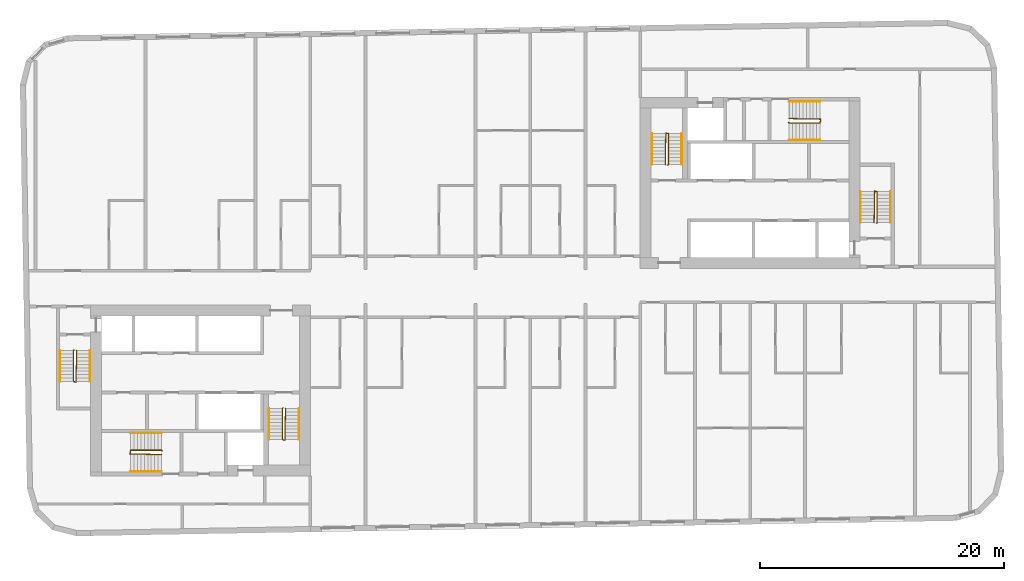
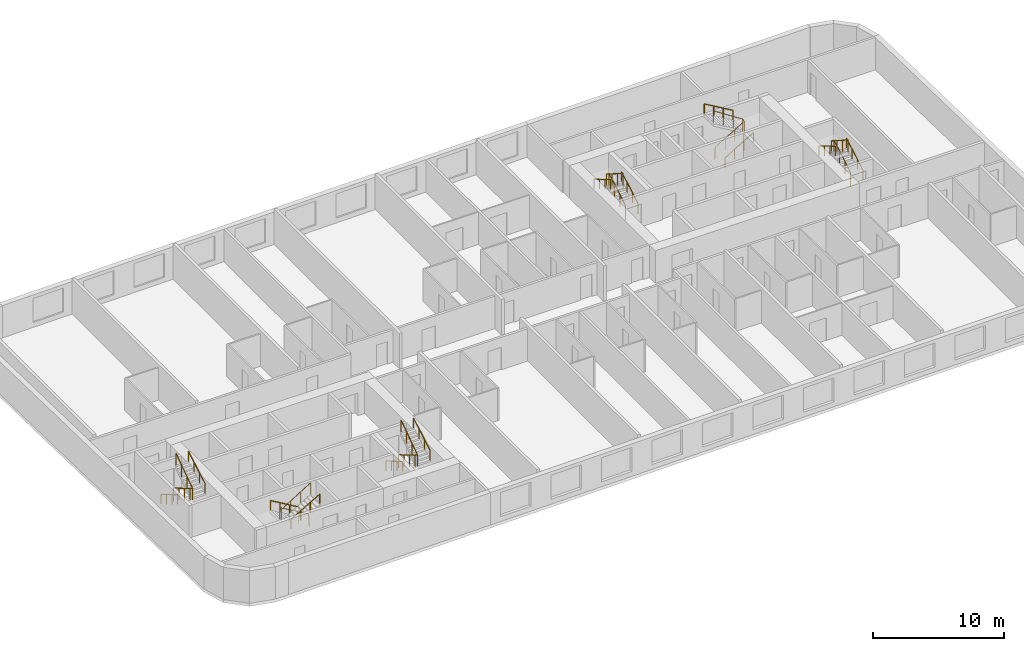
# One storey, part 12 of 12: 18 railings.
"""IFC4 building model written with IfcOpenShell, lengths in metres."""

import ifcopenshell
import ifcopenshell.guid

model = None  # the IFC model being written
_history = None  # IfcOwnerHistory: only IFC2X3 demands one
_inside = {}  # id of a spatial element -> (the spatial element, [elements in it])
_under = {}  # id of a project, library or spatial element -> (it, [spatial elements below it])
_declared = {}  # id of a project -> (the project, [libraries it declares])
_typed = {}  # id of a type object -> (the type object, [elements of that type])
_made_of = {}  # id of a material, layer set ... -> (it, [elements and type objects made of it])


def new_model(schema):
    """Start an empty IFC model of exactly this schema.

    Asked for "IFC4X3", IfcOpenShell would pick the latest addendum, in which some entities
    have other attributes; the version numbers below select the first issue.
    IFC2X3 requires an IfcOwnerHistory on every rooted entity: one is made here for all.
    """
    global model, _history
    if schema == "IFC4X3":
        model = ifcopenshell.file(schema_version=(4, 3, 0, 0))
    else:
        model = ifcopenshell.file(schema=schema)
    _inside.clear()
    _under.clear()
    _declared.clear()
    _typed.clear()
    _made_of.clear()
    _history = None
    if model.schema == "IFC2X3":
        org = make("IfcOrganization", Name="unknown")
        user = make(
            "IfcPersonAndOrganization",
            ThePerson=make("IfcPerson", FamilyName="unknown"),
            TheOrganization=org,
        )
        app = make(
            "IfcApplication",
            ApplicationDeveloper=org,
            Version="unknown",
            ApplicationFullName="unknown",
            ApplicationIdentifier="unknown",
        )
        _history = make(
            "IfcOwnerHistory",
            OwningUser=user,
            OwningApplication=app,
            ChangeAction="ADDED",
            CreationDate=0,
        )
    return model


def make(cls, **values):
    """One entity of the class cls with the attributes given. An attribute that is None is left unset."""
    return model.create_entity(
        cls, **{name: value for name, value in values.items() if value is not None}
    )


def rooted(cls, **values):
    """An entity with a GlobalId (a new one), such as an element, a storey or a relation."""
    return make(cls, GlobalId=ifcopenshell.guid.new(), OwnerHistory=_history, **values)


def si_unit(unit_type, name, prefix=None):
    """IfcSIUnit, for example si_unit("LENGTHUNIT", "METRE", prefix="MILLI")."""
    return make("IfcSIUnit", UnitType=unit_type, Prefix=prefix, Name=name)


def assignment(units):
    """IfcUnitAssignment: the units of a project."""
    return None if units is None else make("IfcUnitAssignment", Units=units)


def point(xyz):
    """IfcCartesianPoint."""
    return None if xyz is None else make("IfcCartesianPoint", Coordinates=xyz)


def direction(xyz):
    """IfcDirection."""
    return None if xyz is None else make("IfcDirection", DirectionRatios=xyz)


def frame(location, z_axis=None, x_axis=None):
    """IfcAxis2Placement3D, a coordinate frame: its origin and axes. An axis left out is left unset."""
    return make(
        "IfcAxis2Placement3D",
        Location=point(location),
        Axis=direction(z_axis),
        RefDirection=direction(x_axis),
    )


def frame_2d(location, x_axis=None):
    """IfcAxis2Placement2D, a coordinate frame in the plane: its origin and x axis."""
    return make(
        "IfcAxis2Placement2D", Location=point(location), RefDirection=direction(x_axis)
    )


def origin():
    """The frame at (0, 0, 0) with its axes left unset."""
    return frame((0.0, 0.0, 0.0))


def origin_2d():
    """The frame at (0, 0) in the plane with its x axis left unset."""
    return frame_2d((0.0, 0.0))


def place(relative_to, where):
    """IfcLocalPlacement: puts the frame where relative to a parent placement (None: the world)."""
    return make(
        "IfcLocalPlacement", PlacementRelTo=relative_to, RelativePlacement=where
    )


def context(
    kind, dimensions, precision=None, world=None, true_north=None, identifier=None
):
    """IfcGeometricRepresentationContext, for example the 3D "Model" context."""
    return make(
        "IfcGeometricRepresentationContext",
        ContextIdentifier=identifier,
        ContextType=kind,
        CoordinateSpaceDimension=dimensions,
        Precision=precision,
        WorldCoordinateSystem=world,
        TrueNorth=true_north,
    )


def subcontext(parent, identifier, kind, view, scale=None):
    """IfcGeometricRepresentationSubContext, for example "Body" below "Model"."""
    return make(
        "IfcGeometricRepresentationSubContext",
        ContextIdentifier=identifier,
        ContextType=kind,
        ParentContext=parent,
        TargetScale=scale,
        TargetView=view,
    )


def project(units=None, contexts=None):
    """IfcProject with its units and contexts."""
    return rooted(
        "IfcProject",
        Name="project",
        RepresentationContexts=contexts,
        UnitsInContext=assignment(units),
    )


def spatial(cls, under=None, at=None, **own):
    """A site, building, storey or space (cls), placed at a placement, below another one or the project."""
    s = rooted(cls, ObjectPlacement=at, **own)
    if under is not None:
        _under.setdefault(under.id(), (under, []))[1].append(s)
    return s


def profile(cls, at=None, kind="AREA", **sizes):
    """A parametric profile (cls). Its sizes go by their IFC names, for example OverallWidth=200.0."""
    return make(cls, ProfileType=kind, Position=at, **sizes)


def circle(**sizes):
    """IfcCircleProfileDef."""
    return profile("IfcCircleProfileDef", **sizes)


def extrude(swept, where, along, depth):
    """IfcExtrudedAreaSolid: the profile swept, set in the frame where, extruded along a direction by depth."""
    return make(
        "IfcExtrudedAreaSolid",
        SweptArea=swept,
        Position=where,
        ExtrudedDirection=direction(along),
        Depth=depth,
    )


def shape(context_of_items, identifier, shape_type, items):
    """IfcShapeRepresentation: the items that make up one representation, for example the "Body"."""
    return make(
        "IfcShapeRepresentation",
        ContextOfItems=context_of_items,
        RepresentationIdentifier=identifier,
        RepresentationType=shape_type,
        Items=items,
    )


def material(Name=None, Category=None):
    """IfcMaterial."""
    return make("IfcMaterial", Name=Name, Category=Category)


def made_of(thing, what):
    """Note that an element or type object is made of a material, layer set ...; save() writes the relation."""
    if what is not None:
        _made_of.setdefault(what.id(), (what, []))[1].append(thing)
    return thing


def type_object(cls, material=None, **own):
    """A type object (cls), such as IfcWallType, which elements share."""
    return made_of(rooted(cls, **own), material)


def element(
    cls,
    number,
    at=None,
    inside=None,
    cuts=None,
    type_object=None,
    material=None,
    context=None,
    identifier="Body",
    shape_type=None,
    held_by="IfcProductDefinitionShape",
    body=None,
    shapes=None,
    **own,
):
    """One element of the class cls, such as IfcWall. Its Tag is "e" and its number.

    at: its placement. inside: the storey or other place that contains it. cuts: it is an
    opening in that element (IfcRelVoidsElement). A single representation is given by context,
    identifier, shape_type and body (its items); several are given by shapes. held_by: the class
    of the entity that holds the representations. save() writes the other relations.
    """
    e = rooted(cls, Tag="e%d" % number, ObjectPlacement=at, **own)
    if body is not None:
        shapes = [shape(context, identifier, shape_type, body)]
    if shapes is not None:
        e.Representation = make(held_by, Representations=shapes)
    if inside is not None:
        _inside.setdefault(inside.id(), (inside, []))[1].append(e)
    if cuts is not None:
        rooted(
            "IfcRelVoidsElement", RelatingBuildingElement=cuts, RelatedOpeningElement=e
        )
    if type_object is not None:
        _typed.setdefault(type_object.id(), (type_object, []))[1].append(e)
    return made_of(e, material)


def aggregate(whole, parts):
    """IfcRelAggregates: a whole, such as a stair, and the parts it consists of."""
    return rooted("IfcRelAggregates", RelatingObject=whole, RelatedObjects=parts)


def save(model, path):
    """Write the relations noted so far, then the file.

    IfcRelAggregates (storeys below a building ...), IfcRelContainedInSpatialStructure (elements
    in a storey), IfcRelDefinesByType, IfcRelAssociatesMaterial and IfcRelDeclares: one each for
    every whole, place, type object, material and project.
    """
    for whole, parts in _under.values():
        aggregate(whole, parts)
    for where, things in _inside.values():
        rooted(
            "IfcRelContainedInSpatialStructure",
            RelatedElements=things,
            RelatingStructure=where,
        )
    for kind, things in _typed.values():
        rooted("IfcRelDefinesByType", RelatedObjects=things, RelatingType=kind)
    for what, things in _made_of.values():
        rooted("IfcRelAssociatesMaterial", RelatedObjects=things, RelatingMaterial=what)
    for by, libraries in _declared.values():
        rooted("IfcRelDeclares", RelatingContext=by, RelatedDefinitions=libraries)
    model.write(path)


model = new_model("IFC4")

# Units and contexts
model_context = context("Model", 3, precision=1e-05, world=origin(), true_north=direction((0.0, 1.0)))
body_context = subcontext(model_context, "Body", "Model", "MODEL_VIEW")
ifc_project = project(units=[si_unit("LENGTHUNIT", "METRE"), si_unit("AREAUNIT", "SQUARE_METRE"), si_unit("VOLUMEUNIT", "CUBIC_METRE"), si_unit("PLANEANGLEUNIT", "RADIAN"), si_unit("MASSUNIT", "GRAM", prefix="KILO")], contexts=[model_context])

# Site, building, storey
site_placement = place(None, origin())
site = spatial("IfcSite", under=ifc_project, at=site_placement, CompositionType="ELEMENT")
building_placement = place(site_placement, origin())
building = spatial("IfcBuilding", under=site, at=building_placement, Name="Kajstack Hotel Tower", CompositionType="ELEMENT")
storey_placement = place(building_placement, frame((0.0, 0.0, 234.199951171875)))
storey = spatial("IfcBuildingStorey", under=building, at=storey_placement, Name="L57", CompositionType="ELEMENT", Elevation=234.199951171875)

# Railings
ifc_material = material(Name="Steel S355J2", Category="steel")
railing_type_1 = type_object("IfcRailingType", Name="Stair guard 1100", PredefinedType="GUARDRAIL", material=ifc_material)
railing_1_placement = place(storey_placement, frame((-32.85009765625, -5.199951171875, 0.0)))
element("IfcRailing", 1, at=railing_1_placement, inside=storey, type_object=railing_type_1, Name="L57 W1 stair guard 1", PredefinedType="GUARDRAIL", context=body_context, shape_type="SweptSolid", body=[
    extrude(circle(Radius=0.02392578125, at=origin_2d()), frame((0.0, 0.0, 1.076171875), z_axis=(-0.277450376394, -0.278810427259, 0.919394384522), x_axis=(0.708833529934, -0.705375805398, 0.0)), (0.0, 0.0, 1.0), 0.179443359375),
    extrude(circle(Radius=0.02392578125, at=origin_2d()), frame((-0.0498046875, -0.050048828125, 1.2412109375), z_axis=(0.0, -0.86152411907, 0.507716645641), x_axis=(1.0, 0.0, 0.0)), (0.0, 0.0, 1.0), 2.925048828125),
    extrude(circle(Radius=0.02392578125, at=origin_2d()), frame((-0.0498046875, -2.570068359375, 2.72607421875), z_axis=(0.970072785993, -0.242814311512, 0.0), x_axis=(0.242814311512, 0.970072785993, 0.0)), (0.0, 0.0, 1.0), 0.2060546875),
    extrude(circle(Radius=0.02392578125, at=origin_2d()), frame((0.150146484375, -2.6201171875, 2.72607421875), z_axis=(0.016385308676, 0.841405582595, 0.540155687962), x_axis=(-0.999810440751, 0.019470042781, 0.0)), (0.0, 0.0, 1.0), 3.054443359375),
    extrude(circle(Radius=0.02099609375, at=origin_2d()), origin(), (0.0, 0.0, 1.0), 1.052001953125),
    extrude(circle(Radius=0.02099609375, at=origin_2d()), frame((-0.0498046875, -0.050048828125, 0.1650390625)), (0.0, 0.0, 1.0), 1.052001953125),
    extrude(circle(Radius=0.02099609375, at=origin_2d()), frame((-0.0498046875, -0.89013671875, 0.66015625)), (0.0, 0.0, 1.0), 1.052001953125),
    extrude(circle(Radius=0.02099609375, at=origin_2d()), frame((-0.0498046875, -1.72998046875, 1.155029296875)), (0.0, 0.0, 1.0), 1.052001953125),
    extrude(circle(Radius=0.02099609375, at=origin_2d()), frame((-0.0498046875, -2.570068359375, 1.650146484375)), (0.0, 0.0, 1.0), 1.052001953125),
    extrude(circle(Radius=0.02099609375, at=origin_2d()), frame((0.150146484375, -2.6201171875, 1.650146484375)), (0.0, 0.0, 1.0), 1.052001953125),
    extrude(circle(Radius=0.02099609375, at=origin_2d()), frame((0.166748046875, -1.763427734375, 2.2001953125)), (0.0, 0.0, 1.0), 1.052001953125),
    extrude(circle(Radius=0.02099609375, at=origin_2d()), frame((0.18359375, -0.90673828125, 2.75)), (0.0, 0.0, 1.0), 1.052001953125),
    extrude(circle(Radius=0.02099609375, at=origin_2d()), frame((0.2001953125, -0.050048828125, 3.300048828125)), (0.0, 0.0, 1.0), 1.052001953125),
])
railing_2_placement = place(storey_placement, frame((-15.75, -9.949951171875, 0.0)))
element("IfcRailing", 2, at=railing_2_placement, inside=storey, type_object=railing_type_1, Name="L57 W2 stair guard 1", PredefinedType="GUARDRAIL", context=body_context, shape_type="SweptSolid", body=[
    extrude(circle(Radius=0.02392578125, at=origin_2d()), frame((0.0, 0.0, 1.076171875), z_axis=(-0.278705021027, -0.278705021027, 0.919046801044), x_axis=(0.707106781187, -0.707106781187, 0.0)), (0.0, 0.0, 1.0), 0.1796875),
    extrude(circle(Radius=0.02392578125, at=origin_2d()), frame((-0.050048828125, -0.050048828125, 1.2412109375), z_axis=(0.0, -0.86152411907, 0.507716645641), x_axis=(1.0, 0.0, 0.0)), (0.0, 0.0, 1.0), 2.925048828125),
    extrude(circle(Radius=0.02392578125, at=origin_2d()), frame((-0.050048828125, -2.570068359375, 2.72607421875), z_axis=(0.970072785993, -0.242814311512, 0.0), x_axis=(0.242814311512, 0.970072785993, 0.0)), (0.0, 0.0, 1.0), 0.2060546875),
    extrude(circle(Radius=0.02392578125, at=origin_2d()), frame((0.14990234375, -2.6201171875, 2.72607421875), z_axis=(0.016385308676, 0.841405582595, 0.540155687962), x_axis=(-0.999810440751, 0.019470042781, 0.0)), (0.0, 0.0, 1.0), 3.054443359375),
    extrude(circle(Radius=0.02099609375, at=origin_2d()), origin(), (0.0, 0.0, 1.0), 1.052001953125),
    extrude(circle(Radius=0.02099609375, at=origin_2d()), frame((-0.050048828125, -0.050048828125, 0.1650390625)), (0.0, 0.0, 1.0), 1.052001953125),
    extrude(circle(Radius=0.02099609375, at=origin_2d()), frame((-0.050048828125, -0.89013671875, 0.66015625)), (0.0, 0.0, 1.0), 1.052001953125),
    extrude(circle(Radius=0.02099609375, at=origin_2d()), frame((-0.050048828125, -1.72998046875, 1.155029296875)), (0.0, 0.0, 1.0), 1.052001953125),
    extrude(circle(Radius=0.02099609375, at=origin_2d()), frame((-0.050048828125, -2.570068359375, 1.650146484375)), (0.0, 0.0, 1.0), 1.052001953125),
    extrude(circle(Radius=0.02099609375, at=origin_2d()), frame((0.14990234375, -2.6201171875, 1.650146484375)), (0.0, 0.0, 1.0), 1.052001953125),
    extrude(circle(Radius=0.02099609375, at=origin_2d()), frame((0.16650390625, -1.763427734375, 2.2001953125)), (0.0, 0.0, 1.0), 1.052001953125),
    extrude(circle(Radius=0.02099609375, at=origin_2d()), frame((0.183349609375, -0.90673828125, 2.75)), (0.0, 0.0, 1.0), 1.052001953125),
    extrude(circle(Radius=0.02099609375, at=origin_2d()), frame((0.199951171875, -0.050048828125, 3.300048828125)), (0.0, 0.0, 1.0), 1.052001953125),
])
railing_3_placement = place(storey_placement, frame((-25.64990234375, -13.449951171875, 0.0)))
element("IfcRailing", 3, at=railing_3_placement, inside=storey, type_object=railing_type_1, Name="L57 W3 stair guard 1", PredefinedType="GUARDRAIL", context=body_context, shape_type="SweptSolid", body=[
    extrude(circle(Radius=0.02392578125, at=origin_2d()), frame((0.0, 0.0, 1.076171875), z_axis=(-0.278705021027, 0.278705021027, 0.919046801044), x_axis=(-0.707106781187, -0.707106781187, 0.0)), (0.0, 0.0, 1.0), 0.1796875),
    extrude(circle(Radius=0.02392578125, at=origin_2d()), frame((-0.050048828125, 0.050048828125, 1.2412109375), z_axis=(-0.86152411907, 0.0, 0.507716645641), x_axis=(0.0, -1.0, 0.0)), (0.0, 0.0, 1.0), 2.925048828125),
    extrude(circle(Radius=0.02392578125, at=origin_2d()), frame((-2.570068359375, 0.050048828125, 2.72607421875), z_axis=(-0.164529134168, -0.986372223864, 0.0), x_axis=(0.986372223864, -0.164529134168, 0.0)), (0.0, 0.0, 1.0), 0.30419921875),
    extrude(circle(Radius=0.02392578125, at=origin_2d()), frame((-2.6201171875, -0.25, 2.72607421875), z_axis=(0.841405582595, -0.016385308676, 0.540155687962), x_axis=(0.019470042781, 0.999810440751, 0.0)), (0.0, 0.0, 1.0), 3.054443359375),
    extrude(circle(Radius=0.02099609375, at=origin_2d()), origin(), (0.0, 0.0, 1.0), 1.052001953125),
    extrude(circle(Radius=0.02099609375, at=origin_2d()), frame((-0.050048828125, 0.050048828125, 0.1650390625)), (0.0, 0.0, 1.0), 1.052001953125),
    extrude(circle(Radius=0.02099609375, at=origin_2d()), frame((-0.89013671875, 0.050048828125, 0.66015625)), (0.0, 0.0, 1.0), 1.052001953125),
    extrude(circle(Radius=0.02099609375, at=origin_2d()), frame((-1.72998046875, 0.050048828125, 1.155029296875)), (0.0, 0.0, 1.0), 1.052001953125),
    extrude(circle(Radius=0.02099609375, at=origin_2d()), frame((-2.570068359375, 0.050048828125, 1.650146484375)), (0.0, 0.0, 1.0), 1.052001953125),
    extrude(circle(Radius=0.02099609375, at=origin_2d()), frame((-2.6201171875, -0.25, 1.650146484375)), (0.0, 0.0, 1.0), 1.052001953125),
    extrude(circle(Radius=0.02099609375, at=origin_2d()), frame((-1.763427734375, -0.2666015625, 2.2001953125)), (0.0, 0.0, 1.0), 1.052001953125),
    extrude(circle(Radius=0.02099609375, at=origin_2d()), frame((-0.90673828125, -0.283447265625, 2.75)), (0.0, 0.0, 1.0), 1.052001953125),
    extrude(circle(Radius=0.02099609375, at=origin_2d()), frame((-0.050048828125, -0.300048828125, 3.300048828125)), (0.0, 0.0, 1.0), 1.052001953125),
])
railing_4_placement = place(storey_placement, frame((32.85009765625, 5.199951171875, 0.0)))
element("IfcRailing", 4, at=railing_4_placement, inside=storey, type_object=railing_type_1, Name="L57 E1 stair guard 1", PredefinedType="GUARDRAIL", context=body_context, shape_type="SweptSolid", body=[
    extrude(circle(Radius=0.02392578125, at=origin_2d()), frame((0.0, 0.0, 1.076171875), z_axis=(0.277450376394, 0.278810427259, 0.919394384522), x_axis=(-0.708833529934, 0.705375805398, 0.0)), (0.0, 0.0, 1.0), 0.179443359375),
    extrude(circle(Radius=0.02392578125, at=origin_2d()), frame((0.0498046875, 0.050048828125, 1.2412109375), z_axis=(0.0, 0.86152411907, 0.507716645641), x_axis=(-1.0, 0.0, 0.0)), (0.0, 0.0, 1.0), 2.925048828125),
    extrude(circle(Radius=0.02392578125, at=origin_2d()), frame((0.0498046875, 2.570068359375, 2.72607421875), z_axis=(-0.970072785993, 0.242814311512, 0.0), x_axis=(-0.242814311512, -0.970072785993, 0.0)), (0.0, 0.0, 1.0), 0.2060546875),
    extrude(circle(Radius=0.02392578125, at=origin_2d()), frame((-0.150146484375, 2.6201171875, 2.72607421875), z_axis=(-0.016385308676, -0.841405582595, 0.540155687962), x_axis=(0.999810440751, -0.019470042781, 0.0)), (0.0, 0.0, 1.0), 3.054443359375),
    extrude(circle(Radius=0.02099609375, at=origin_2d()), origin(), (0.0, 0.0, 1.0), 1.052001953125),
    extrude(circle(Radius=0.02099609375, at=origin_2d()), frame((0.0498046875, 0.050048828125, 0.1650390625)), (0.0, 0.0, 1.0), 1.052001953125),
    extrude(circle(Radius=0.02099609375, at=origin_2d()), frame((0.0498046875, 0.89013671875, 0.66015625)), (0.0, 0.0, 1.0), 1.052001953125),
    extrude(circle(Radius=0.02099609375, at=origin_2d()), frame((0.0498046875, 1.72998046875, 1.155029296875)), (0.0, 0.0, 1.0), 1.052001953125),
    extrude(circle(Radius=0.02099609375, at=origin_2d()), frame((0.0498046875, 2.570068359375, 1.650146484375)), (0.0, 0.0, 1.0), 1.052001953125),
    extrude(circle(Radius=0.02099609375, at=origin_2d()), frame((-0.150146484375, 2.6201171875, 1.650146484375)), (0.0, 0.0, 1.0), 1.052001953125),
    extrude(circle(Radius=0.02099609375, at=origin_2d()), frame((-0.166748046875, 1.763427734375, 2.2001953125)), (0.0, 0.0, 1.0), 1.052001953125),
    extrude(circle(Radius=0.02099609375, at=origin_2d()), frame((-0.18359375, 0.90673828125, 2.75)), (0.0, 0.0, 1.0), 1.052001953125),
    extrude(circle(Radius=0.02099609375, at=origin_2d()), frame((-0.2001953125, 0.050048828125, 3.300048828125)), (0.0, 0.0, 1.0), 1.052001953125),
])
railing_5_placement = place(storey_placement, frame((15.75, 9.949951171875, 0.0)))
element("IfcRailing", 5, at=railing_5_placement, inside=storey, type_object=railing_type_1, Name="L57 E2 stair guard 1", PredefinedType="GUARDRAIL", context=body_context, shape_type="SweptSolid", body=[
    extrude(circle(Radius=0.02392578125, at=origin_2d()), frame((0.0, 0.0, 1.076171875), z_axis=(0.278705021027, 0.278705021027, 0.919046801044), x_axis=(-0.707106781187, 0.707106781187, 0.0)), (0.0, 0.0, 1.0), 0.1796875),
    extrude(circle(Radius=0.02392578125, at=origin_2d()), frame((0.050048828125, 0.050048828125, 1.2412109375), z_axis=(0.0, 0.86152411907, 0.507716645641), x_axis=(-1.0, 0.0, 0.0)), (0.0, 0.0, 1.0), 2.925048828125),
    extrude(circle(Radius=0.02392578125, at=origin_2d()), frame((0.050048828125, 2.570068359375, 2.72607421875), z_axis=(-0.970072785993, 0.242814311512, 0.0), x_axis=(-0.242814311512, -0.970072785993, 0.0)), (0.0, 0.0, 1.0), 0.2060546875),
    extrude(circle(Radius=0.02392578125, at=origin_2d()), frame((-0.14990234375, 2.6201171875, 2.72607421875), z_axis=(-0.016385308676, -0.841405582595, 0.540155687962), x_axis=(0.999810440751, -0.019470042781, 0.0)), (0.0, 0.0, 1.0), 3.054443359375),
    extrude(circle(Radius=0.02099609375, at=origin_2d()), origin(), (0.0, 0.0, 1.0), 1.052001953125),
    extrude(circle(Radius=0.02099609375, at=origin_2d()), frame((0.050048828125, 0.050048828125, 0.1650390625)), (0.0, 0.0, 1.0), 1.052001953125),
    extrude(circle(Radius=0.02099609375, at=origin_2d()), frame((0.050048828125, 0.89013671875, 0.66015625)), (0.0, 0.0, 1.0), 1.052001953125),
    extrude(circle(Radius=0.02099609375, at=origin_2d()), frame((0.050048828125, 1.72998046875, 1.155029296875)), (0.0, 0.0, 1.0), 1.052001953125),
    extrude(circle(Radius=0.02099609375, at=origin_2d()), frame((0.050048828125, 2.570068359375, 1.650146484375)), (0.0, 0.0, 1.0), 1.052001953125),
    extrude(circle(Radius=0.02099609375, at=origin_2d()), frame((-0.14990234375, 2.6201171875, 1.650146484375)), (0.0, 0.0, 1.0), 1.052001953125),
    extrude(circle(Radius=0.02099609375, at=origin_2d()), frame((-0.16650390625, 1.763427734375, 2.2001953125)), (0.0, 0.0, 1.0), 1.052001953125),
    extrude(circle(Radius=0.02099609375, at=origin_2d()), frame((-0.183349609375, 0.90673828125, 2.75)), (0.0, 0.0, 1.0), 1.052001953125),
    extrude(circle(Radius=0.02099609375, at=origin_2d()), frame((-0.199951171875, 0.050048828125, 3.300048828125)), (0.0, 0.0, 1.0), 1.052001953125),
])
railing_6_placement = place(storey_placement, frame((25.64990234375, 13.449951171875, 0.0)))
element("IfcRailing", 6, at=railing_6_placement, inside=storey, type_object=railing_type_1, Name="L57 E3 stair guard 1", PredefinedType="GUARDRAIL", context=body_context, shape_type="SweptSolid", body=[
    extrude(circle(Radius=0.02392578125, at=origin_2d()), frame((0.0, 0.0, 1.076171875), z_axis=(0.278705021027, -0.278705021027, 0.919046801044), x_axis=(0.707106781187, 0.707106781187, 0.0)), (0.0, 0.0, 1.0), 0.1796875),
    extrude(circle(Radius=0.02392578125, at=origin_2d()), frame((0.050048828125, -0.050048828125, 1.2412109375), z_axis=(0.86152411907, 0.0, 0.507716645641), x_axis=(0.0, 1.0, 0.0)), (0.0, 0.0, 1.0), 2.925048828125),
    extrude(circle(Radius=0.02392578125, at=origin_2d()), frame((2.570068359375, -0.050048828125, 2.72607421875), z_axis=(0.164529134168, 0.986372223864, 0.0), x_axis=(-0.986372223864, 0.164529134168, 0.0)), (0.0, 0.0, 1.0), 0.30419921875),
    extrude(circle(Radius=0.02392578125, at=origin_2d()), frame((2.6201171875, 0.25, 2.72607421875), z_axis=(-0.841405582595, 0.016385308676, 0.540155687962), x_axis=(-0.019470042781, -0.999810440751, 0.0)), (0.0, 0.0, 1.0), 3.054443359375),
    extrude(circle(Radius=0.02099609375, at=origin_2d()), origin(), (0.0, 0.0, 1.0), 1.052001953125),
    extrude(circle(Radius=0.02099609375, at=origin_2d()), frame((0.050048828125, -0.050048828125, 0.1650390625)), (0.0, 0.0, 1.0), 1.052001953125),
    extrude(circle(Radius=0.02099609375, at=origin_2d()), frame((0.89013671875, -0.050048828125, 0.66015625)), (0.0, 0.0, 1.0), 1.052001953125),
    extrude(circle(Radius=0.02099609375, at=origin_2d()), frame((1.72998046875, -0.050048828125, 1.155029296875)), (0.0, 0.0, 1.0), 1.052001953125),
    extrude(circle(Radius=0.02099609375, at=origin_2d()), frame((2.570068359375, -0.050048828125, 1.650146484375)), (0.0, 0.0, 1.0), 1.052001953125),
    extrude(circle(Radius=0.02099609375, at=origin_2d()), frame((2.6201171875, 0.25, 1.650146484375)), (0.0, 0.0, 1.0), 1.052001953125),
    extrude(circle(Radius=0.02099609375, at=origin_2d()), frame((1.763427734375, 0.2666015625, 2.2001953125)), (0.0, 0.0, 1.0), 1.052001953125),
    extrude(circle(Radius=0.02099609375, at=origin_2d()), frame((0.90673828125, 0.283447265625, 2.75)), (0.0, 0.0, 1.0), 1.052001953125),
    extrude(circle(Radius=0.02099609375, at=origin_2d()), frame((0.050048828125, 0.300048828125, 3.300048828125)), (0.0, 0.0, 1.0), 1.052001953125),
])
railing_type_2 = type_object("IfcRailingType", Name="Stair handrail 900", PredefinedType="HANDRAIL", material=ifc_material)
railing_7_placement = place(storey_placement, frame((-34.0, -5.25, 0.1650390625)))
element("IfcRailing", 7, at=railing_7_placement, inside=storey, type_object=railing_type_2, Name="L57 W1 stair handrail 1", PredefinedType="HANDRAIL", context=body_context, shape_type="SweptSolid", body=[
    extrude(circle(Radius=0.02392578125, at=origin_2d()), frame((0.0, 0.0, 0.8759765625), z_axis=(0.0, -0.86152411907, 0.507716645641), x_axis=(1.0, 0.0, 0.0)), (0.0, 0.0, 1.0), 2.925048828125),
    extrude(circle(Radius=0.02099609375, at=origin_2d()), origin(), (0.0, 0.0, 1.0), 0.851806640625),
    extrude(circle(Radius=0.02099609375, at=origin_2d()), frame((0.0, -0.840087890625, 0.4951171875)), (0.0, 0.0, 1.0), 0.851806640625),
    extrude(circle(Radius=0.02099609375, at=origin_2d()), frame((0.0, -1.679931640625, 0.989990234375)), (0.0, 0.0, 1.0), 0.851806640625),
    extrude(circle(Radius=0.02099609375, at=origin_2d()), frame((0.0, -2.52001953125, 1.485107421875)), (0.0, 0.0, 1.0), 0.851806640625),
])
railing_8_placement = place(storey_placement, frame((-31.550048828125, -7.77001953125, 1.81494140625)))
element("IfcRailing", 8, at=railing_8_placement, inside=storey, type_object=railing_type_2, Name="L57 W1 stair handrail 2", PredefinedType="HANDRAIL", context=body_context, shape_type="SweptSolid", body=[
    extrude(circle(Radius=0.02392578125, at=origin_2d()), frame((0.0, 0.0, 0.8759765625), z_axis=(0.0, 0.86152411907, 0.507716645641), x_axis=(-1.0, 0.0, 0.0)), (0.0, 0.0, 1.0), 2.925048828125),
    extrude(circle(Radius=0.02099609375, at=origin_2d()), origin(), (0.0, 0.0, 1.0), 0.851806640625),
    extrude(circle(Radius=0.02099609375, at=origin_2d()), frame((0.0, 0.840087890625, 0.4951171875)), (0.0, 0.0, 1.0), 0.851806640625),
    extrude(circle(Radius=0.02099609375, at=origin_2d()), frame((0.0, 1.679931640625, 0.989990234375)), (0.0, 0.0, 1.0), 0.851806640625),
    extrude(circle(Radius=0.02099609375, at=origin_2d()), frame((0.0, 2.52001953125, 1.485107421875)), (0.0, 0.0, 1.0), 0.851806640625),
])
railing_9_placement = place(storey_placement, frame((-16.89990234375, -10.0, 0.1650390625)))
element("IfcRailing", 9, at=railing_9_placement, inside=storey, type_object=railing_type_2, Name="L57 W2 stair handrail 1", PredefinedType="HANDRAIL", context=body_context, shape_type="SweptSolid", body=[
    extrude(circle(Radius=0.02392578125, at=origin_2d()), frame((0.0, 0.0, 0.8759765625), z_axis=(0.0, -0.86152411907, 0.507716645641), x_axis=(1.0, 0.0, 0.0)), (0.0, 0.0, 1.0), 2.925048828125),
    extrude(circle(Radius=0.02099609375, at=origin_2d()), origin(), (0.0, 0.0, 1.0), 0.851806640625),
    extrude(circle(Radius=0.02099609375, at=origin_2d()), frame((0.0, -0.840087890625, 0.4951171875)), (0.0, 0.0, 1.0), 0.851806640625),
    extrude(circle(Radius=0.02099609375, at=origin_2d()), frame((0.0, -1.679931640625, 0.989990234375)), (0.0, 0.0, 1.0), 0.851806640625),
    extrude(circle(Radius=0.02099609375, at=origin_2d()), frame((0.0, -2.52001953125, 1.485107421875)), (0.0, 0.0, 1.0), 0.851806640625),
])
railing_10_placement = place(storey_placement, frame((-14.449951171875, -12.52001953125, 1.81494140625)))
element("IfcRailing", 10, at=railing_10_placement, inside=storey, type_object=railing_type_2, Name="L57 W2 stair handrail 2", PredefinedType="HANDRAIL", context=body_context, shape_type="SweptSolid", body=[
    extrude(circle(Radius=0.02392578125, at=origin_2d()), frame((0.0, 0.0, 0.8759765625), z_axis=(0.0, 0.86152411907, 0.507716645641), x_axis=(-1.0, 0.0, 0.0)), (0.0, 0.0, 1.0), 2.925048828125),
    extrude(circle(Radius=0.02099609375, at=origin_2d()), origin(), (0.0, 0.0, 1.0), 0.851806640625),
    extrude(circle(Radius=0.02099609375, at=origin_2d()), frame((0.0, 0.840087890625, 0.4951171875)), (0.0, 0.0, 1.0), 0.851806640625),
    extrude(circle(Radius=0.02099609375, at=origin_2d()), frame((0.0, 1.679931640625, 0.989990234375)), (0.0, 0.0, 1.0), 0.851806640625),
    extrude(circle(Radius=0.02099609375, at=origin_2d()), frame((0.0, 2.52001953125, 1.485107421875)), (0.0, 0.0, 1.0), 0.851806640625),
])
railing_11_placement = place(storey_placement, frame((-25.699951171875, -12.0, 0.1650390625)))
element("IfcRailing", 11, at=railing_11_placement, inside=storey, type_object=railing_type_2, Name="L57 W3 stair handrail 1", PredefinedType="HANDRAIL", context=body_context, shape_type="SweptSolid", body=[
    extrude(circle(Radius=0.02392578125, at=origin_2d()), frame((0.0, 0.0, 0.8759765625), z_axis=(-0.86152411907, 0.0, 0.507716645641), x_axis=(0.0, -1.0, 0.0)), (0.0, 0.0, 1.0), 2.925048828125),
    extrude(circle(Radius=0.02099609375, at=origin_2d()), origin(), (0.0, 0.0, 1.0), 0.851806640625),
    extrude(circle(Radius=0.02099609375, at=origin_2d()), frame((-0.840087890625, 0.0, 0.4951171875)), (0.0, 0.0, 1.0), 0.851806640625),
    extrude(circle(Radius=0.02099609375, at=origin_2d()), frame((-1.679931640625, 0.0, 0.989990234375)), (0.0, 0.0, 1.0), 0.851806640625),
    extrude(circle(Radius=0.02099609375, at=origin_2d()), frame((-2.52001953125, 0.0, 1.485107421875)), (0.0, 0.0, 1.0), 0.851806640625),
])
railing_12_placement = place(storey_placement, frame((-28.219970703125, -15.14990234375, 1.81494140625)))
element("IfcRailing", 12, at=railing_12_placement, inside=storey, type_object=railing_type_2, Name="L57 W3 stair handrail 2", PredefinedType="HANDRAIL", context=body_context, shape_type="SweptSolid", body=[
    extrude(circle(Radius=0.02392578125, at=origin_2d()), frame((0.0, 0.0, 0.8759765625), z_axis=(0.86152411907, 0.0, 0.507716645641), x_axis=(0.0, 1.0, 0.0)), (0.0, 0.0, 1.0), 2.925048828125),
    extrude(circle(Radius=0.02099609375, at=origin_2d()), origin(), (0.0, 0.0, 1.0), 0.851806640625),
    extrude(circle(Radius=0.02099609375, at=origin_2d()), frame((0.840087890625, 0.0, 0.4951171875)), (0.0, 0.0, 1.0), 0.851806640625),
    extrude(circle(Radius=0.02099609375, at=origin_2d()), frame((1.679931640625, 0.0, 0.989990234375)), (0.0, 0.0, 1.0), 0.851806640625),
    extrude(circle(Radius=0.02099609375, at=origin_2d()), frame((2.52001953125, 0.0, 1.485107421875)), (0.0, 0.0, 1.0), 0.851806640625),
])
railing_13_placement = place(storey_placement, frame((34.0, 5.25, 0.1650390625)))
element("IfcRailing", 13, at=railing_13_placement, inside=storey, type_object=railing_type_2, Name="L57 E1 stair handrail 1", PredefinedType="HANDRAIL", context=body_context, shape_type="SweptSolid", body=[
    extrude(circle(Radius=0.02392578125, at=origin_2d()), frame((0.0, 0.0, 0.8759765625), z_axis=(0.0, 0.86152411907, 0.507716645641), x_axis=(-1.0, 0.0, 0.0)), (0.0, 0.0, 1.0), 2.925048828125),
    extrude(circle(Radius=0.02099609375, at=origin_2d()), origin(), (0.0, 0.0, 1.0), 0.851806640625),
    extrude(circle(Radius=0.02099609375, at=origin_2d()), frame((0.0, 0.840087890625, 0.4951171875)), (0.0, 0.0, 1.0), 0.851806640625),
    extrude(circle(Radius=0.02099609375, at=origin_2d()), frame((0.0, 1.679931640625, 0.989990234375)), (0.0, 0.0, 1.0), 0.851806640625),
    extrude(circle(Radius=0.02099609375, at=origin_2d()), frame((0.0, 2.52001953125, 1.485107421875)), (0.0, 0.0, 1.0), 0.851806640625),
])
railing_14_placement = place(storey_placement, frame((31.550048828125, 7.77001953125, 1.81494140625)))
element("IfcRailing", 14, at=railing_14_placement, inside=storey, type_object=railing_type_2, Name="L57 E1 stair handrail 2", PredefinedType="HANDRAIL", context=body_context, shape_type="SweptSolid", body=[
    extrude(circle(Radius=0.02392578125, at=origin_2d()), frame((0.0, 0.0, 0.8759765625), z_axis=(0.0, -0.86152411907, 0.507716645641), x_axis=(1.0, 0.0, 0.0)), (0.0, 0.0, 1.0), 2.925048828125),
    extrude(circle(Radius=0.02099609375, at=origin_2d()), origin(), (0.0, 0.0, 1.0), 0.851806640625),
    extrude(circle(Radius=0.02099609375, at=origin_2d()), frame((0.0, -0.840087890625, 0.4951171875)), (0.0, 0.0, 1.0), 0.851806640625),
    extrude(circle(Radius=0.02099609375, at=origin_2d()), frame((0.0, -1.679931640625, 0.989990234375)), (0.0, 0.0, 1.0), 0.851806640625),
    extrude(circle(Radius=0.02099609375, at=origin_2d()), frame((0.0, -2.52001953125, 1.485107421875)), (0.0, 0.0, 1.0), 0.851806640625),
])
railing_15_placement = place(storey_placement, frame((16.89990234375, 10.0, 0.1650390625)))
element("IfcRailing", 15, at=railing_15_placement, inside=storey, type_object=railing_type_2, Name="L57 E2 stair handrail 1", PredefinedType="HANDRAIL", context=body_context, shape_type="SweptSolid", body=[
    extrude(circle(Radius=0.02392578125, at=origin_2d()), frame((0.0, 0.0, 0.8759765625), z_axis=(0.0, 0.86152411907, 0.507716645641), x_axis=(-1.0, 0.0, 0.0)), (0.0, 0.0, 1.0), 2.925048828125),
    extrude(circle(Radius=0.02099609375, at=origin_2d()), origin(), (0.0, 0.0, 1.0), 0.851806640625),
    extrude(circle(Radius=0.02099609375, at=origin_2d()), frame((0.0, 0.840087890625, 0.4951171875)), (0.0, 0.0, 1.0), 0.851806640625),
    extrude(circle(Radius=0.02099609375, at=origin_2d()), frame((0.0, 1.679931640625, 0.989990234375)), (0.0, 0.0, 1.0), 0.851806640625),
    extrude(circle(Radius=0.02099609375, at=origin_2d()), frame((0.0, 2.52001953125, 1.485107421875)), (0.0, 0.0, 1.0), 0.851806640625),
])
railing_16_placement = place(storey_placement, frame((14.449951171875, 12.52001953125, 1.81494140625)))
element("IfcRailing", 16, at=railing_16_placement, inside=storey, type_object=railing_type_2, Name="L57 E2 stair handrail 2", PredefinedType="HANDRAIL", context=body_context, shape_type="SweptSolid", body=[
    extrude(circle(Radius=0.02392578125, at=origin_2d()), frame((0.0, 0.0, 0.8759765625), z_axis=(0.0, -0.86152411907, 0.507716645641), x_axis=(1.0, 0.0, 0.0)), (0.0, 0.0, 1.0), 2.925048828125),
    extrude(circle(Radius=0.02099609375, at=origin_2d()), origin(), (0.0, 0.0, 1.0), 0.851806640625),
    extrude(circle(Radius=0.02099609375, at=origin_2d()), frame((0.0, -0.840087890625, 0.4951171875)), (0.0, 0.0, 1.0), 0.851806640625),
    extrude(circle(Radius=0.02099609375, at=origin_2d()), frame((0.0, -1.679931640625, 0.989990234375)), (0.0, 0.0, 1.0), 0.851806640625),
    extrude(circle(Radius=0.02099609375, at=origin_2d()), frame((0.0, -2.52001953125, 1.485107421875)), (0.0, 0.0, 1.0), 0.851806640625),
])
railing_17_placement = place(storey_placement, frame((25.699951171875, 12.0, 0.1650390625)))
element("IfcRailing", 17, at=railing_17_placement, inside=storey, type_object=railing_type_2, Name="L57 E3 stair handrail 1", PredefinedType="HANDRAIL", context=body_context, shape_type="SweptSolid", body=[
    extrude(circle(Radius=0.02392578125, at=origin_2d()), frame((0.0, 0.0, 0.8759765625), z_axis=(0.86152411907, 0.0, 0.507716645641), x_axis=(0.0, 1.0, 0.0)), (0.0, 0.0, 1.0), 2.925048828125),
    extrude(circle(Radius=0.02099609375, at=origin_2d()), origin(), (0.0, 0.0, 1.0), 0.851806640625),
    extrude(circle(Radius=0.02099609375, at=origin_2d()), frame((0.840087890625, 0.0, 0.4951171875)), (0.0, 0.0, 1.0), 0.851806640625),
    extrude(circle(Radius=0.02099609375, at=origin_2d()), frame((1.679931640625, 0.0, 0.989990234375)), (0.0, 0.0, 1.0), 0.851806640625),
    extrude(circle(Radius=0.02099609375, at=origin_2d()), frame((2.52001953125, 0.0, 1.485107421875)), (0.0, 0.0, 1.0), 0.851806640625),
])
railing_18_placement = place(storey_placement, frame((28.219970703125, 15.14990234375, 1.81494140625)))
element("IfcRailing", 18, at=railing_18_placement, inside=storey, type_object=railing_type_2, Name="L57 E3 stair handrail 2", PredefinedType="HANDRAIL", context=body_context, shape_type="SweptSolid", body=[
    extrude(circle(Radius=0.02392578125, at=origin_2d()), frame((0.0, 0.0, 0.8759765625), z_axis=(-0.86152411907, 0.0, 0.507716645641), x_axis=(0.0, -1.0, 0.0)), (0.0, 0.0, 1.0), 2.925048828125),
    extrude(circle(Radius=0.02099609375, at=origin_2d()), origin(), (0.0, 0.0, 1.0), 0.851806640625),
    extrude(circle(Radius=0.02099609375, at=origin_2d()), frame((-0.840087890625, 0.0, 0.4951171875)), (0.0, 0.0, 1.0), 0.851806640625),
    extrude(circle(Radius=0.02099609375, at=origin_2d()), frame((-1.679931640625, 0.0, 0.989990234375)), (0.0, 0.0, 1.0), 0.851806640625),
    extrude(circle(Radius=0.02099609375, at=origin_2d()), frame((-2.52001953125, 0.0, 1.485107421875)), (0.0, 0.0, 1.0), 0.851806640625),
])

save(model, "model.ifc")
